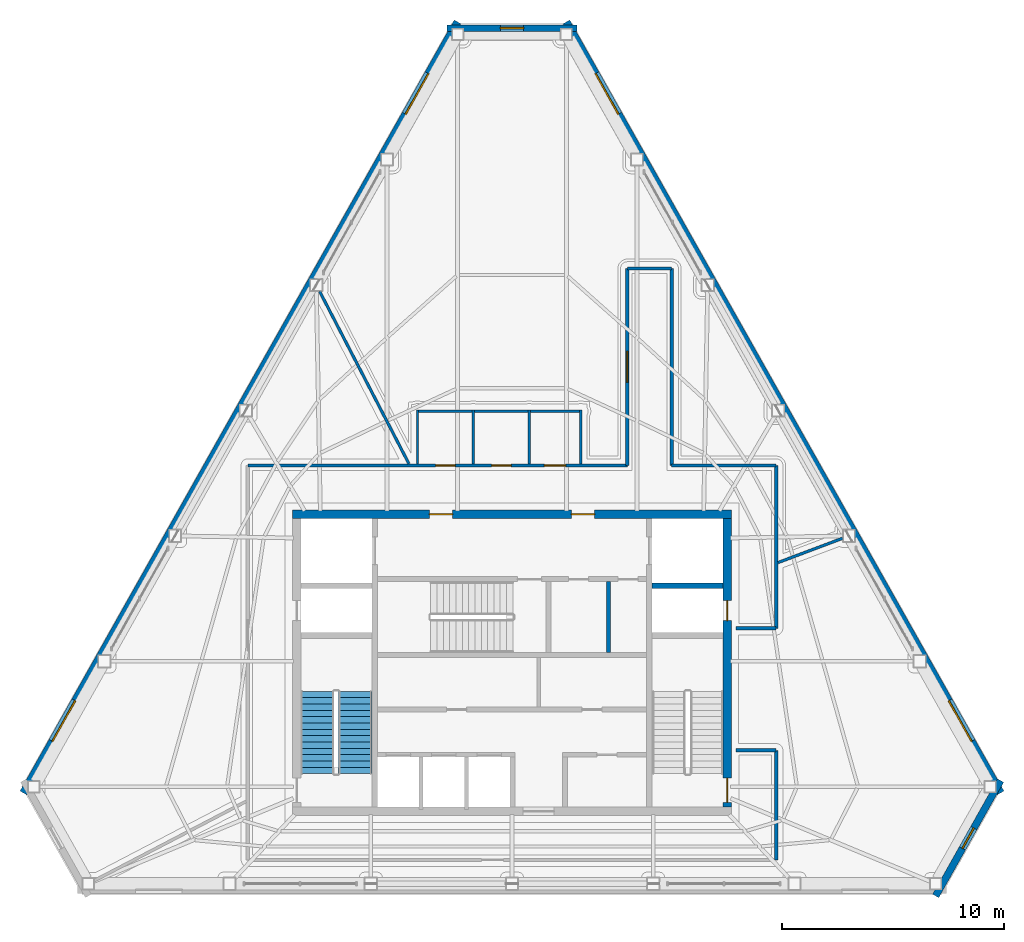
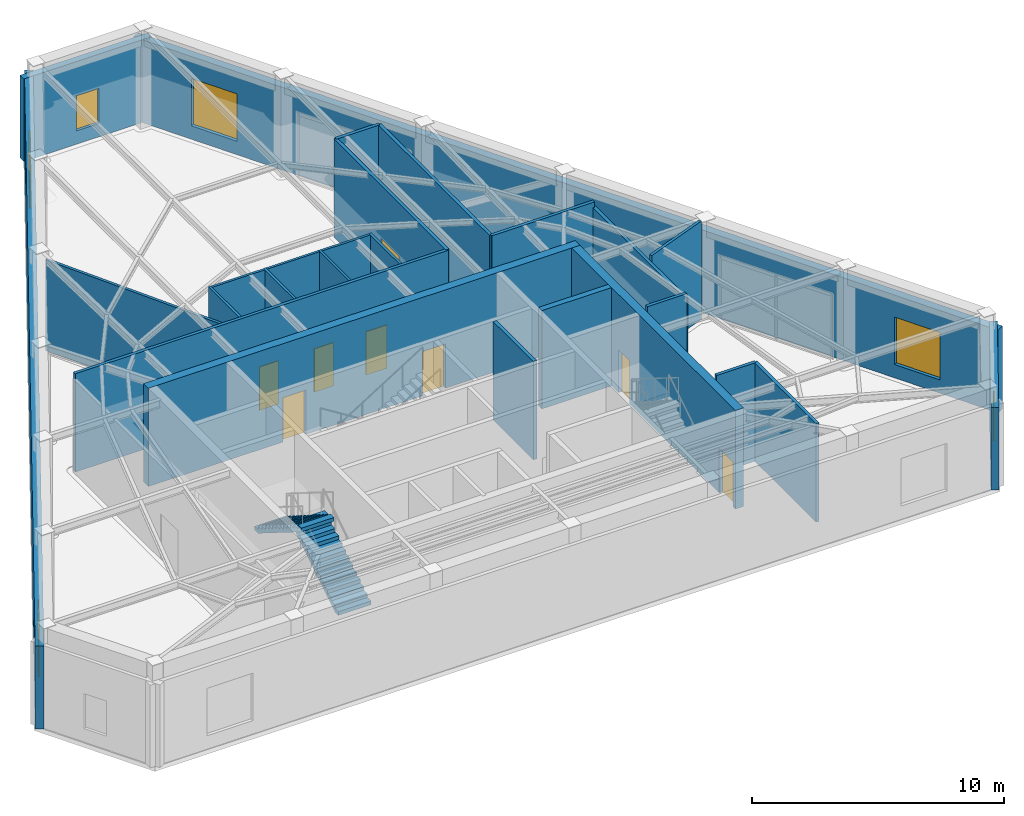
# One storey, part 10 of 15: 24 walls, 8 doors, 6 windows, 2 stair flights, 14 openings, 1 element without a shape of its own.
"""IFC4 building model written with IfcOpenShell, lengths in metres."""

from ifc_helpers import new_model, si_unit, direction, frame, frame_2d, origin, place, context, subcontext, project, spatial, polyline, rectangle, outline, extrude, material, layer, layer_set, type_object, element, fill, aggregate, save


model = new_model("IFC4")

# Units and contexts
model_context = context("Model", 3, precision=1e-05, world=origin(), true_north=direction((0.0, 1.0)))
body_context = subcontext(model_context, "Body", "Model", "MODEL_VIEW")
ifc_project = project(units=[si_unit("LENGTHUNIT", "METRE"), si_unit("AREAUNIT", "SQUARE_METRE"), si_unit("VOLUMEUNIT", "CUBIC_METRE"), si_unit("PLANEANGLEUNIT", "RADIAN"), si_unit("MASSUNIT", "GRAM", prefix="KILO")], contexts=[model_context])

# Site, building, storey
site_placement = place(None, origin())
site = spatial("IfcSite", under=ifc_project, at=site_placement, CompositionType="ELEMENT")
building_placement = place(site_placement, origin())
building = spatial("IfcBuilding", under=site, at=building_placement, Name="Kavelnor Concourse Tower", CompositionType="ELEMENT")
storey_placement = place(building_placement, frame((0.0, 0.0, 304.949951171875)))
storey = spatial("IfcBuildingStorey", under=building, at=storey_placement, Name="L77", CompositionType="ELEMENT", Elevation=304.949951171875)

# Wall, openings, doors
ifc_material_1 = material(Name="Concrete C50/60", Category="concrete")
ifc_layer_1 = layer(ifc_material_1, 0.3798828125, Name="Concrete C50/60")
ifc_layer_set_1 = layer_set([ifc_layer_1], Name="Concrete C50/60")
wall_type_1 = type_object("IfcWallType", Name="WL-CORE-Z4-380", PredefinedType="SOLIDWALL", material=ifc_layer_set_1)
wall_1_placement = place(storey_placement, frame((28.10009765625, 22.7900390625, 0.0), z_axis=(0.0, 0.0, 1.0), x_axis=(1.0, 0.0, 0.0)))
wall_1 = element("IfcWall", 1, at=wall_1_placement, inside=storey, type_object=wall_type_1, Name="L77 Central Core North Shear Wall", PredefinedType="SOLIDWALL", context=body_context, shape_type="SweptSolid", body=[
    extrude(rectangle(XDim=19.7998046875, YDim=0.3798828125, at=frame_2d((9.89990234375, 0.0))), origin(), (0.0, 0.0, 1.0), 4.77001953125),
])
opening_1_placement = place(wall_1_placement, frame((6.175048828125, 0.0, 0.0)))
opening_1 = element("IfcOpeningElement", 2, at=opening_1_placement, cuts=wall_1, Name="Opening FD-105", PredefinedType="OPENING", context=body_context, shape_type="SweptSolid", body=[
    extrude(rectangle(XDim=1.050048828125, YDim=2.14990234375, at=frame_2d((0.52490234375, 1.074951171875))), frame((0.0, 0.199951171875, 0.0), z_axis=(0.0, -1.0, 0.0), x_axis=(1.0, 0.0, 0.0)), (0.0, 0.0, 1.0), 0.39990234375),
])
opening_2_placement = place(wall_1_placement, frame((12.574951171875, 0.0, 0.0)))
opening_2 = element("IfcOpeningElement", 3, at=opening_2_placement, cuts=wall_1, Name="Opening FD-105", PredefinedType="OPENING", context=body_context, shape_type="SweptSolid", body=[
    extrude(rectangle(XDim=1.050048828125, YDim=2.14990234375, at=frame_2d((0.52490234375, 1.074951171875))), frame((0.0, 0.199951171875, 0.0), z_axis=(0.0, -1.0, 0.0), x_axis=(1.0, 0.0, 0.0)), (0.0, 0.0, 1.0), 0.39990234375),
])
ifc_material_2 = material(Name="Steel Grade 350", Category="steel")
door_type_1 = type_object("IfcDoorType", Name="DR-LOBBY-FIRE-1050", OperationType="NOTDEFINED", PredefinedType="DOOR", material=ifc_material_2)
door_1_placement = place(opening_1_placement, origin())
door_1 = element("IfcDoor", 4, at=door_1_placement, inside=storey, type_object=door_type_1, Name="L77 Emergency Lift Lobby West Door", OperationType="SINGLE_SWING_LEFT", OverallHeight=2.14990234375, OverallWidth=1.050048828125, PredefinedType="DOOR", context=body_context, shape_type="SweptSolid", body=[
    extrude(rectangle(XDim=1.050048828125, YDim=2.14990234375, at=frame_2d((0.52490234375, 1.074951171875))), frame((0.0, 0.02490234375, 0.0), z_axis=(0.0, -1.0, 0.0), x_axis=(1.0, 0.0, 0.0)), (0.0, 0.0, 1.0), 0.050048828125),
])
fill(opening_1, door_1)
door_2_placement = place(opening_2_placement, origin())
door_2 = element("IfcDoor", 5, at=door_2_placement, inside=storey, type_object=door_type_1, Name="L77 Emergency Lift Lobby East Door", OperationType="SINGLE_SWING_RIGHT", OverallHeight=2.14990234375, OverallWidth=1.050048828125, PredefinedType="DOOR", context=body_context, shape_type="SweptSolid", body=[
    extrude(rectangle(XDim=1.050048828125, YDim=2.14990234375, at=frame_2d((0.52490234375, 1.074951171875))), frame((0.0, 0.02490234375, 0.0), z_axis=(0.0, -1.0, 0.0), x_axis=(1.0, 0.0, 0.0)), (0.0, 0.0, 1.0), 0.050048828125),
])
fill(opening_2, door_2)

wall_2_placement = place(storey_placement, frame((47.7099609375, 9.60009765625, 0.0), z_axis=(0.0, 0.0, 1.0), x_axis=(0.0, 1.0, 0.0)))
wall_2 = element("IfcWall", 6, at=wall_2_placement, inside=storey, type_object=wall_type_1, Name="L77 Central Core East Shear Wall", PredefinedType="SOLIDWALL", context=body_context, shape_type="SweptSolid", body=[
    extrude(rectangle(XDim=13.0, YDim=0.3798828125, at=frame_2d((6.5, 0.0))), origin(), (0.0, 0.0, 1.0), 4.77001953125),
])
opening_3_placement = place(wall_2_placement, frame((0.199951171875, 0.0, 0.0)))
opening_3 = element("IfcOpeningElement", 7, at=opening_3_placement, cuts=wall_2, Name="Opening FD-110", PredefinedType="OPENING", context=body_context, shape_type="SweptSolid", body=[
    extrude(rectangle(XDim=1.10009765625, YDim=2.14990234375, at=frame_2d((0.550048828125, 1.074951171875))), frame((0.0, 0.199951171875, 0.0), z_axis=(0.0, -1.0, 0.0), x_axis=(1.0, 0.0, 0.0)), (0.0, 0.0, 1.0), 0.39990234375),
])
opening_4_placement = place(wall_2_placement, frame((8.39990234375, 0.0, 0.0)))
opening_4 = element("IfcOpeningElement", 8, at=opening_4_placement, cuts=wall_2, Name="Opening FD-090", PredefinedType="OPENING", context=body_context, shape_type="SweptSolid", body=[
    extrude(rectangle(XDim=0.89990234375, YDim=2.10009765625, at=frame_2d((0.449951171875, 1.050048828125))), frame((0.0, 0.199951171875, 0.0), z_axis=(0.0, -1.0, 0.0), x_axis=(1.0, 0.0, 0.0)), (0.0, 0.0, 1.0), 0.39990234375),
])
door_type_2 = type_object("IfcDoorType", Name="DR-RISER-FIRE-900", OperationType="NOTDEFINED", PredefinedType="DOOR", material=ifc_material_2)
door_3_placement = place(opening_4_placement, origin())
door_3 = element("IfcDoor", 9, at=door_3_placement, inside=storey, type_object=door_type_2, Name="L77 East Riser Access Door", OperationType="SINGLE_SWING_LEFT", OverallHeight=2.10009765625, OverallWidth=0.89990234375, PredefinedType="DOOR", context=body_context, shape_type="SweptSolid", body=[
    extrude(rectangle(XDim=0.89990234375, YDim=2.10009765625, at=frame_2d((0.449951171875, 1.050048828125))), frame((0.0, 0.02490234375, 0.0), z_axis=(0.0, -1.0, 0.0), x_axis=(1.0, 0.0, 0.0)), (0.0, 0.0, 1.0), 0.050048828125),
])
fill(opening_4, door_3)
door_type_3 = type_object("IfcDoorType", Name="DR-STAIR-FIRE-1100", OperationType="NOTDEFINED", PredefinedType="DOOR", material=ifc_material_2)
door_4_placement = place(opening_3_placement, origin())
door_4 = element("IfcDoor", 10, at=door_4_placement, inside=storey, type_object=door_type_3, Name="L77 Stair ST2 Fire Door", OperationType="SINGLE_SWING_RIGHT", OverallHeight=2.14990234375, OverallWidth=1.10009765625, PredefinedType="DOOR", context=body_context, shape_type="SweptSolid", body=[
    extrude(rectangle(XDim=1.10009765625, YDim=2.14990234375, at=frame_2d((0.550048828125, 1.074951171875))), frame((0.0, 0.02490234375, 0.0), z_axis=(0.0, -1.0, 0.0), x_axis=(1.0, 0.0, 0.0)), (0.0, 0.0, 1.0), 0.050048828125),
])
fill(opening_3, door_4)

# Wall, opening, window
ifc_material_3 = material(Name="Buff ironspot clay face brick masonry", Category="masonry")
ifc_layer_2 = layer(ifc_material_3, 0.300048828125, Name="Buff ironspot clay face brick masonry")
ifc_layer_set_2 = layer_set([ifc_layer_2], Name="Buff ironspot clay face brick masonry")
wall_type_2 = type_object("IfcWallType", Name="WL-EXT-BUFF-BRICK-FOLD-300", PredefinedType="STANDARD", material=ifc_layer_set_2)
wall_3_placement = place(storey_placement, frame((35.06689453125, 44.707275390625, 0.0), z_axis=(0.0, 0.0, 1.0), x_axis=(1.0, 0.0, 0.0)))
wall_3 = element("IfcWall", 11, at=wall_3_placement, inside=storey, type_object=wall_type_2, Name="L77 Exterior Brick Facade Wall E0", PredefinedType="STANDARD", context=body_context, shape_type="SweptSolid", body=[
    extrude(rectangle(XDim=5.8662109375, YDim=0.300048828125, at=frame_2d((2.93310546875, 0.0))), origin(), (0.0, 0.0, 1.0), 4.011962890625),
])
opening_5_placement = place(wall_3_placement, frame((2.408203125, 0.0, 0.64990234375)))
opening_5 = element("IfcOpeningElement", 12, at=opening_5_placement, cuts=wall_3, Name="Opening W-06", PredefinedType="OPENING", context=body_context, shape_type="SweptSolid", body=[
    extrude(rectangle(XDim=1.050048828125, YDim=1.699951171875, at=frame_2d((0.52490234375, 0.85009765625))), frame((0.0, 0.16015625, 0.0), z_axis=(0.0, -1.0, 0.0), x_axis=(1.0, 0.0, 0.0)), (0.0, 0.0, 1.0), 0.320068359375),
])
ifc_material_4 = material(Name="Double low-E argon insulated glazing", Category="glass")
window_type_1 = type_object("IfcWindowType", Name="WIN-FOLD-1050", PartitioningType="SINGLE_PANEL", PredefinedType="WINDOW", material=ifc_material_4)
window_1_placement = place(opening_5_placement, origin())
window_1 = element("IfcWindow", 13, at=window_1_placement, inside=storey, type_object=window_type_1, Name="L77 Chamfer-Fold Facet Window C0", OverallHeight=1.699951171875, OverallWidth=1.050048828125, PartitioningType="SINGLE_PANEL", PredefinedType="WINDOW", context=body_context, shape_type="SweptSolid", body=[
    extrude(rectangle(XDim=1.050048828125, YDim=1.699951171875, at=frame_2d((0.52490234375, 0.85009765625))), frame((0.0, 0.030029296875, 0.0), z_axis=(0.0, -1.0, 0.0), x_axis=(1.0, 0.0, 0.0)), (0.0, 0.0, 1.0), 0.06005859375),
])
fill(opening_5, window_1)

ifc_layer_3 = layer(ifc_material_3, 0.320068359375, Name="Buff ironspot clay face brick masonry")
ifc_layer_set_3 = layer_set([ifc_layer_3], Name="Buff ironspot clay face brick masonry")
wall_type_3 = type_object("IfcWallType", Name="WL-EXT-BUFF-BRICK-SPANDREL-320", PredefinedType="STANDARD", material=ifc_layer_set_3)
wall_4_placement = place(storey_placement, frame((60.0283203125, 10.784912109375, 0.0), z_axis=(0.0, 0.0, 1.0), x_axis=(-0.490711674977, -0.871322013977, 0.0)))
wall_4 = element("IfcWall", 14, at=wall_4_placement, inside=storey, type_object=wall_type_3, Name="L77 Exterior Brick Facade Wall E4", PredefinedType="STANDARD", context=body_context, shape_type="SweptSolid", body=[
    extrude(rectangle(XDim=5.96923828125, YDim=0.320068359375, at=frame_2d((2.984619140625, 0.0))), origin(), (0.0, 0.0, 1.0), 4.011962890625),
])
opening_6_placement = place(wall_4_placement, frame((2.459716796875, 0.0, 0.64990234375)))
opening_6 = element("IfcOpeningElement", 15, at=opening_6_placement, cuts=wall_4, Name="Opening W-06", PredefinedType="OPENING", context=body_context, shape_type="SweptSolid", body=[
    extrude(rectangle(XDim=1.050048828125, YDim=1.699951171875, at=frame_2d((0.52490234375, 0.85009765625))), frame((0.0, 0.169921875, 0.0), z_axis=(0.0, -1.0, 0.0), x_axis=(1.0, 0.0, 0.0)), (0.0, 0.0, 1.0), 0.340087890625),
])
window_2_placement = place(opening_6_placement, origin())
window_2 = element("IfcWindow", 16, at=window_2_placement, inside=storey, type_object=window_type_1, Name="L77 Chamfer-Fold Facet Window C2", OverallHeight=1.699951171875, OverallWidth=1.050048828125, PartitioningType="SINGLE_PANEL", PredefinedType="WINDOW", context=body_context, shape_type="SweptSolid", body=[
    extrude(rectangle(XDim=1.050048828125, YDim=1.699951171875, at=frame_2d((0.52490234375, 0.85009765625))), frame((0.0, 0.030029296875, 0.0), z_axis=(0.0, -1.0, 0.0), x_axis=(1.0, 0.0, 0.0)), (0.0, 0.0, 1.0), 0.06005859375),
])
fill(opening_6, window_2)

# Wall, openings, windows
ifc_material_5 = material(Name="Red-ochre clay face brick masonry", Category="masonry")
ifc_layer_4 = layer(ifc_material_5, 0.35009765625, Name="Red-ochre clay face brick masonry")
ifc_layer_set_4 = layer_set([ifc_layer_4], Name="Red-ochre clay face brick masonry")
wall_type_4 = type_object("IfcWallType", Name="WL-EXT-RED-BRICK-PIER-350", PredefinedType="STANDARD", material=ifc_layer_set_4)
wall_5_placement = place(storey_placement, frame((15.9716796875, 10.230224609375, 0.0), z_axis=(0.0, 0.0, 1.0), x_axis=(0.490734788737, 0.871308996352, 0.0)))
wall_5 = element("IfcWall", 17, at=wall_5_placement, inside=storey, type_object=wall_type_4, Name="L77 Exterior Brick Facade Wall E1", PredefinedType="STANDARD", context=body_context, shape_type="SweptSolid", body=[
    extrude(rectangle(XDim=39.89208984375, YDim=0.35009765625, at=frame_2d((19.946044921875, 0.0))), origin(), (0.0, 0.0, 1.0), 4.011962890625),
])
opening_7_placement = place(wall_5_placement, frame((35.116455078125, 0.0, 0.64990234375)))
opening_7 = element("IfcOpeningElement", 18, at=opening_7_placement, cuts=wall_5, Name="Opening W-08", PredefinedType="OPENING", context=body_context, shape_type="SweptSolid", body=[
    extrude(rectangle(XDim=2.10009765625, YDim=2.300048828125, at=frame_2d((1.050048828125, 1.14990234375))), frame((0.0, 0.18505859375, 0.0), z_axis=(0.0, -1.0, 0.0), x_axis=(1.0, 0.0, 0.0)), (0.0, 0.0, 1.0), 0.3701171875),
])
opening_8_placement = place(wall_5_placement, frame((2.66552734375, 0.0, 0.64990234375)))
opening_8 = element("IfcOpeningElement", 19, at=opening_8_placement, cuts=wall_5, Name="Opening W-08", PredefinedType="OPENING", context=body_context, shape_type="SweptSolid", body=[
    extrude(rectangle(XDim=2.10009765625, YDim=2.300048828125, at=frame_2d((1.050048828125, 1.14990234375))), frame((0.0, 0.18505859375, 0.0), z_axis=(0.0, -1.0, 0.0), x_axis=(1.0, 0.0, 0.0)), (0.0, 0.0, 1.0), 0.3701171875),
])
window_type_2 = type_object("IfcWindowType", Name="WIN-OBS-2400", PartitioningType="SINGLE_PANEL", PredefinedType="WINDOW", material=ifc_material_4)
window_3_placement = place(opening_7_placement, origin())
window_3 = element("IfcWindow", 20, at=window_3_placement, inside=storey, type_object=window_type_2, Name="L77 Deep-Set Brick Pier Window F0-B0", OverallHeight=2.300048828125, OverallWidth=2.10009765625, PartitioningType="SINGLE_PANEL", PredefinedType="WINDOW", context=body_context, shape_type="SweptSolid", body=[
    extrude(rectangle(XDim=2.10009765625, YDim=2.300048828125, at=frame_2d((1.050048828125, 1.14990234375))), frame((0.0, 0.030029296875, 0.0), z_axis=(0.0, -1.0, 0.0), x_axis=(1.0, 0.0, 0.0)), (0.0, 0.0, 1.0), 0.06005859375),
])
fill(opening_7, window_3)
window_4_placement = place(opening_8_placement, origin())
window_4 = element("IfcWindow", 21, at=window_4_placement, inside=storey, type_object=window_type_2, Name="L77 Deep-Set Brick Pier Window F0-B5", OverallHeight=2.300048828125, OverallWidth=2.10009765625, PartitioningType="SINGLE_PANEL", PredefinedType="WINDOW", context=body_context, shape_type="SweptSolid", body=[
    extrude(rectangle(XDim=2.10009765625, YDim=2.300048828125, at=frame_2d((1.050048828125, 1.14990234375))), frame((0.0, 0.030029296875, 0.0), z_axis=(0.0, -1.0, 0.0), x_axis=(1.0, 0.0, 0.0)), (0.0, 0.0, 1.0), 0.06005859375),
])
fill(opening_8, window_4)

wall_6_placement = place(storey_placement, frame((40.451904296875, 44.988525390625, 0.0), z_axis=(0.0, 0.0, 1.0), x_axis=(0.490734788737, -0.871308996352, 0.0)))
wall_6 = element("IfcWall", 22, at=wall_6_placement, inside=storey, type_object=wall_type_4, Name="L77 Exterior Brick Facade Wall E5", PredefinedType="STANDARD", context=body_context, shape_type="SweptSolid", body=[
    extrude(rectangle(XDim=39.89208984375, YDim=0.35009765625, at=frame_2d((19.946044921875, 0.0))), origin(), (0.0, 0.0, 1.0), 4.011962890625),
])
opening_9_placement = place(wall_6_placement, frame((35.12646484375, 0.0, 0.64990234375)))
opening_9 = element("IfcOpeningElement", 23, at=opening_9_placement, cuts=wall_6, Name="Opening W-08", PredefinedType="OPENING", context=body_context, shape_type="SweptSolid", body=[
    extrude(rectangle(XDim=2.10009765625, YDim=2.300048828125, at=frame_2d((1.050048828125, 1.14990234375))), frame((0.0, 0.18505859375, 0.0), z_axis=(0.0, -1.0, 0.0), x_axis=(1.0, 0.0, 0.0)), (0.0, 0.0, 1.0), 0.3701171875),
])
opening_10_placement = place(wall_6_placement, frame((2.675537109375, 0.0, 0.64990234375)))
opening_10 = element("IfcOpeningElement", 24, at=opening_10_placement, cuts=wall_6, Name="Opening W-08", PredefinedType="OPENING", context=body_context, shape_type="SweptSolid", body=[
    extrude(rectangle(XDim=2.10009765625, YDim=2.300048828125, at=frame_2d((1.050048828125, 1.14990234375))), frame((0.0, 0.18505859375, 0.0), z_axis=(0.0, -1.0, 0.0), x_axis=(1.0, 0.0, 0.0)), (0.0, 0.0, 1.0), 0.3701171875),
])
window_5_placement = place(opening_9_placement, origin())
window_5 = element("IfcWindow", 25, at=window_5_placement, inside=storey, type_object=window_type_2, Name="L77 Deep-Set Brick Pier Window F2-B0", OverallHeight=2.300048828125, OverallWidth=2.10009765625, PartitioningType="SINGLE_PANEL", PredefinedType="WINDOW", context=body_context, shape_type="SweptSolid", body=[
    extrude(rectangle(XDim=2.10009765625, YDim=2.300048828125, at=frame_2d((1.050048828125, 1.14990234375))), frame((0.0, 0.030029296875, 0.0), z_axis=(0.0, -1.0, 0.0), x_axis=(1.0, 0.0, 0.0)), (0.0, 0.0, 1.0), 0.06005859375),
])
fill(opening_9, window_5)
window_6_placement = place(opening_10_placement, origin())
window_6 = element("IfcWindow", 26, at=window_6_placement, inside=storey, type_object=window_type_2, Name="L77 Deep-Set Brick Pier Window F2-B5", OverallHeight=2.300048828125, OverallWidth=2.10009765625, PartitioningType="SINGLE_PANEL", PredefinedType="WINDOW", context=body_context, shape_type="SweptSolid", body=[
    extrude(rectangle(XDim=2.10009765625, YDim=2.300048828125, at=frame_2d((1.050048828125, 1.14990234375))), frame((0.0, 0.030029296875, 0.0), z_axis=(0.0, -1.0, 0.0), x_axis=(1.0, 0.0, 0.0)), (0.0, 0.0, 1.0), 0.06005859375),
])
fill(opening_10, window_6)

# Wall, opening, door
ifc_material_6 = material(Name="Gypsum plasterboard on light-gauge steel studs", Category="steel")
ifc_layer_5 = layer(ifc_material_6, 0.14501953125, Name="Gypsum plasterboard on light-gauge steel studs")
ifc_layer_set_5 = layer_set([ifc_layer_5], Name="Gypsum plasterboard on light-gauge steel studs")
wall_type_5 = type_object("IfcWallType", Name="WL-INT-CORR-145", PredefinedType="PARTITIONING", material=ifc_layer_set_5)
wall_7_placement = place(storey_placement, frame((43.199951171875, 24.989990234375, 0.0), z_axis=(0.0, 0.0, 1.0), x_axis=(0.0, 1.0, 0.0)))
wall_7 = element("IfcWall", 27, at=wall_7_placement, inside=storey, type_object=wall_type_5, Name="L77 Corridor Wall WL-L77-CR-01", PredefinedType="PARTITIONING", context=body_context, shape_type="SweptSolid", body=[
    extrude(rectangle(XDim=8.8837890625, YDim=0.14501953125, at=frame_2d((4.44189453125, 0.0))), origin(), (0.0, 0.0, 1.0), 4.77001953125),
])
opening_11_placement = place(wall_7_placement, frame((3.741943359375, 0.0, 0.0)))
opening_11 = element("IfcOpeningElement", 28, at=opening_11_placement, cuts=wall_7, Name="Opening SD-140", PredefinedType="OPENING", context=body_context, shape_type="SweptSolid", body=[
    extrude(rectangle(XDim=1.39990234375, YDim=2.199951171875, at=frame_2d((0.699951171875, 1.10009765625))), frame((0.0, 0.08251953125, 0.0), z_axis=(0.0, -1.0, 0.0), x_axis=(1.0, 0.0, 0.0)), (0.0, 0.0, 1.0), 0.1650390625),
])
ifc_material_7 = material(Name="Solid-core hardwood timber", Category="wood")
door_type_4 = type_object("IfcDoorType", Name="DR-SUITE-ENTRY-1400", OperationType="NOTDEFINED", PredefinedType="DOOR", material=ifc_material_7)
door_5_placement = place(opening_11_placement, origin())
door_5 = element("IfcDoor", 29, at=door_5_placement, inside=storey, type_object=door_type_4, Name="L77 Visitor Retail Bookshop 01 Door", OperationType="SINGLE_SWING_LEFT", OverallHeight=2.199951171875, OverallWidth=1.39990234375, PredefinedType="DOOR", context=body_context, shape_type="SweptSolid", body=[
    extrude(rectangle(XDim=1.39990234375, YDim=2.199951171875, at=frame_2d((0.699951171875, 1.10009765625))), frame((0.0, 0.02490234375, 0.0), z_axis=(0.0, -1.0, 0.0), x_axis=(1.0, 0.0, 0.0)), (0.0, 0.0, 1.0), 0.050048828125),
])
fill(opening_11, door_5)

# Walls
wall_8_placement = place(storey_placement, frame((43.199951171875, 33.873779296875, 0.0), z_axis=(0.0, 0.0, 1.0), x_axis=(1.0, 0.0, 0.0)))
element("IfcWall", 30, at=wall_8_placement, inside=storey, type_object=wall_type_5, Name="L77 Corridor Wall WL-L77-CR-02", PredefinedType="PARTITIONING", context=body_context, shape_type="SweptSolid", body=[
    extrude(rectangle(XDim=2.0, YDim=0.14501953125, at=frame_2d((1.0, 0.0))), origin(), (0.0, 0.0, 1.0), 4.77001953125),
])
wall_9_placement = place(storey_placement, frame((45.199951171875, 33.873779296875, 0.0), z_axis=(0.0, 0.0, 1.0), x_axis=(0.0, -1.0, 0.0)))
element("IfcWall", 31, at=wall_9_placement, inside=storey, type_object=wall_type_5, Name="L77 Corridor Wall WL-L77-CR-03", PredefinedType="PARTITIONING", context=body_context, shape_type="SweptSolid", body=[
    extrude(rectangle(XDim=8.8837890625, YDim=0.14501953125, at=frame_2d((4.44189453125, 0.0))), origin(), (0.0, 0.0, 1.0), 4.77001953125),
])
wall_10_placement = place(storey_placement, frame((45.199951171875, 24.989990234375, 0.0), z_axis=(0.0, 0.0, 1.0), x_axis=(1.0, 0.0, 0.0)))
element("IfcWall", 32, at=wall_10_placement, inside=storey, type_object=wall_type_5, Name="L77 Corridor Wall WL-L77-CR-04", PredefinedType="PARTITIONING", context=body_context, shape_type="SweptSolid", body=[
    extrude(rectangle(XDim=4.7099609375, YDim=0.14501953125, at=frame_2d((2.35498046875, 0.0))), origin(), (0.0, 0.0, 1.0), 4.77001953125),
])
wall_11_placement = place(storey_placement, frame((49.909912109375, 24.989990234375, 0.0), z_axis=(0.0, 0.0, 1.0), x_axis=(0.0, -1.0, 0.0)))
element("IfcWall", 33, at=wall_11_placement, inside=storey, type_object=wall_type_5, Name="L77 Corridor Wall WL-L77-CR-05", PredefinedType="PARTITIONING", context=body_context, shape_type="SweptSolid", body=[
    extrude(rectangle(XDim=7.340087890625, YDim=0.14501953125, at=frame_2d((3.669921875, 0.0))), origin(), (0.0, 0.0, 1.0), 4.509033203125),
])
for number, where, z_axis, x_axis, name in (
    (34, (49.909912109375, 17.64990234375, 0.0), (0.0, 0.0, 1.0), (-1.0, 0.0, 0.0), "L77 Corridor Wall WL-L77-CR-06"),
    (35, (48.090087890625, 12.14990234375, 0.0), (0.0, 0.0, 1.0), (1.0, 0.0, 0.0), "L77 Corridor Wall WL-L77-CR-07"),
):
    element("IfcWall", number, at=place(storey_placement, frame(where, z_axis=z_axis, x_axis=x_axis)), inside=storey, type_object=wall_type_5, Name=name, PredefinedType="PARTITIONING", context=body_context, shape_type="SweptSolid", body=[
        extrude(rectangle(XDim=1.81982421875, YDim=0.14501953125, at=frame_2d((0.909912109375, 0.0))), origin(), (0.0, 0.0, 1.0), 4.77001953125),
    ])
wall_12_placement = place(storey_placement, frame((49.909912109375, 12.14990234375, 0.0), z_axis=(0.0, 0.0, 1.0), x_axis=(0.0, -1.0, 0.0)))
element("IfcWall", 36, at=wall_12_placement, inside=storey, type_object=wall_type_5, Name="L77 Corridor Wall WL-L77-CR-08", PredefinedType="PARTITIONING", context=body_context, shape_type="SweptSolid", body=[
    extrude(rectangle(XDim=4.93994140625, YDim=0.14501953125, at=frame_2d((2.469970703125, 0.0))), origin(), (0.0, 0.0, 1.0), 4.77001953125),
])

# Wall, openings, doors
wall_13_placement = place(storey_placement, frame((26.090087890625, 24.989990234375, 0.0), z_axis=(0.0, 0.0, 1.0), x_axis=(1.0, 0.0, 0.0)))
wall_13 = element("IfcWall", 37, at=wall_13_placement, inside=storey, type_object=wall_type_5, Name="L77 Corridor Wall WL-L77-CR-11", PredefinedType="PARTITIONING", context=body_context, shape_type="SweptSolid", body=[
    extrude(rectangle(XDim=17.10986328125, YDim=0.14501953125, at=frame_2d((8.554931640625, 0.0))), origin(), (0.0, 0.0, 1.0), 4.77001953125),
])
opening_12_placement = place(wall_13_placement, frame((8.469970703125, 0.0, 0.0)))
opening_12 = element("IfcOpeningElement", 38, at=opening_12_placement, cuts=wall_13, Name="Opening WD-088", PredefinedType="OPENING", context=body_context, shape_type="SweptSolid", body=[
    extrude(rectangle(XDim=0.8798828125, YDim=2.10009765625, at=frame_2d((0.43994140625, 1.050048828125))), frame((0.0, 0.08251953125, 0.0), z_axis=(0.0, -1.0, 0.0), x_axis=(1.0, 0.0, 0.0)), (0.0, 0.0, 1.0), 0.1650390625),
])
opening_13_placement = place(wall_13_placement, frame((10.989990234375, 0.0, 0.0)))
opening_13 = element("IfcOpeningElement", 39, at=opening_13_placement, cuts=wall_13, Name="Opening WD-088", PredefinedType="OPENING", context=body_context, shape_type="SweptSolid", body=[
    extrude(rectangle(XDim=0.8798828125, YDim=2.10009765625, at=frame_2d((0.43994140625, 1.050048828125))), frame((0.0, 0.08251953125, 0.0), z_axis=(0.0, -1.0, 0.0), x_axis=(1.0, 0.0, 0.0)), (0.0, 0.0, 1.0), 0.1650390625),
])
opening_14_placement = place(wall_13_placement, frame((13.3701171875, 0.0, 0.0)))
opening_14 = element("IfcOpeningElement", 40, at=opening_14_placement, cuts=wall_13, Name="Opening WD-096", PredefinedType="OPENING", context=body_context, shape_type="SweptSolid", body=[
    extrude(rectangle(XDim=0.9599609375, YDim=2.10009765625, at=frame_2d((0.47998046875, 1.050048828125))), frame((0.0, 0.08251953125, 0.0), z_axis=(0.0, -1.0, 0.0), x_axis=(1.0, 0.0, 0.0)), (0.0, 0.0, 1.0), 0.1650390625),
])
door_type_5 = type_object("IfcDoorType", Name="DR-WC-ACC-960", OperationType="NOTDEFINED", PredefinedType="DOOR", material=ifc_material_7)
door_6_placement = place(opening_14_placement, origin())
door_6 = element("IfcDoor", 41, at=door_6_placement, inside=storey, type_object=door_type_5, Name="L77 Accessible WC Door", OperationType="SINGLE_SWING_RIGHT", OverallHeight=2.10009765625, OverallWidth=0.9599609375, PredefinedType="DOOR", context=body_context, shape_type="SweptSolid", body=[
    extrude(rectangle(XDim=0.9599609375, YDim=2.10009765625, at=frame_2d((0.47998046875, 1.050048828125))), frame((0.0, 0.02490234375, 0.0), z_axis=(0.0, -1.0, 0.0), x_axis=(1.0, 0.0, 0.0)), (0.0, 0.0, 1.0), 0.050048828125),
])
fill(opening_14, door_6)
door_type_6 = type_object("IfcDoorType", Name="DR-WC-STD-880", OperationType="NOTDEFINED", PredefinedType="DOOR", material=ifc_material_7)
door_7_placement = place(opening_12_placement, origin())
door_7 = element("IfcDoor", 42, at=door_7_placement, inside=storey, type_object=door_type_6, Name="L77 Male WC Door", OperationType="SINGLE_SWING_RIGHT", OverallHeight=2.10009765625, OverallWidth=0.8798828125, PredefinedType="DOOR", context=body_context, shape_type="SweptSolid", body=[
    extrude(rectangle(XDim=0.8798828125, YDim=2.10009765625, at=frame_2d((0.43994140625, 1.050048828125))), frame((0.0, 0.02490234375, 0.0), z_axis=(0.0, -1.0, 0.0), x_axis=(1.0, 0.0, 0.0)), (0.0, 0.0, 1.0), 0.050048828125),
])
fill(opening_12, door_7)
door_8_placement = place(opening_13_placement, origin())
door_8 = element("IfcDoor", 43, at=door_8_placement, inside=storey, type_object=door_type_6, Name="L77 Female WC Door", OperationType="SINGLE_SWING_LEFT", OverallHeight=2.10009765625, OverallWidth=0.8798828125, PredefinedType="DOOR", context=body_context, shape_type="SweptSolid", body=[
    extrude(rectangle(XDim=0.8798828125, YDim=2.10009765625, at=frame_2d((0.43994140625, 1.050048828125))), frame((0.0, 0.02490234375, 0.0), z_axis=(0.0, -1.0, 0.0), x_axis=(1.0, 0.0, 0.0)), (0.0, 0.0, 1.0), 0.050048828125),
])
fill(opening_13, door_8)

# Walls
ifc_layer_6 = layer(ifc_material_6, 0.1650390625, Name="Gypsum plasterboard on light-gauge steel studs")
ifc_layer_set_6 = layer_set([ifc_layer_6], Name="Gypsum plasterboard on light-gauge steel studs")
wall_type_6 = type_object("IfcWallType", Name="WL-INT-FIRE-165", PredefinedType="PARTITIONING", material=ifc_layer_set_6)
wall_14_placement = place(storey_placement, frame((42.35009765625, 16.56005859375, 0.0), z_axis=(0.0, 0.0, 1.0), x_axis=(0.0, 1.0, 0.0)))
element("IfcWall", 44, at=wall_14_placement, inside=storey, type_object=wall_type_6, Name="L77 Core Support Asymmetric Divider", PredefinedType="PARTITIONING", context=body_context, shape_type="SweptSolid", body=[
    extrude(rectangle(XDim=3.199951171875, YDim=0.1650390625, at=frame_2d((1.60009765625, 0.0))), origin(), (0.0, 0.0, 1.0), 4.77001953125),
])
ifc_layer_7 = layer(ifc_material_6, 0.125, Name="Gypsum plasterboard on light-gauge steel studs")
ifc_layer_set_7 = layer_set([ifc_layer_7], Name="Gypsum plasterboard on light-gauge steel studs")
wall_type_7 = type_object("IfcWallType", Name="WL-INT-SUITE-125", PredefinedType="PARTITIONING", material=ifc_layer_set_7)
wall_15_placement = place(storey_placement, frame((49.990478515625, 20.612548828125, 0.0), z_axis=(0.0, 0.0, 1.0), x_axis=(0.93593218837, 0.352180264598, 0.0)))
element("IfcWall", 45, at=wall_15_placement, inside=storey, type_object=wall_type_7, Name="L77 Radial Suite Partition 01", PredefinedType="PARTITIONING", context=body_context, shape_type="SweptSolid", body=[
    extrude(rectangle(XDim=3.11328125, YDim=0.125, at=frame_2d((1.556640625, 0.0))), origin(), (0.0, 0.0, 1.0), 4.77001953125),
])
wall_16_placement = place(storey_placement, frame((33.35205078125, 25.070556640625, 0.0), z_axis=(0.0, 0.0, 1.0), x_axis=(-0.460036151018, 0.887900185695, 0.0)))
element("IfcWall", 46, at=wall_16_placement, inside=storey, type_object=wall_type_7, Name="L77 Radial Suite Partition 02", PredefinedType="PARTITIONING", context=body_context, shape_type="SweptSolid", body=[
    extrude(rectangle(XDim=8.74951171875, YDim=0.125, at=frame_2d((4.374755859375, 0.0))), origin(), (0.0, 0.0, 1.0), 4.406005859375),
])
ifc_layer_8 = layer(ifc_material_6, 0.110107421875, Name="Gypsum plasterboard on light-gauge steel studs")
ifc_layer_set_8 = layer_set([ifc_layer_8], Name="Gypsum plasterboard on light-gauge steel studs")
wall_type_8 = type_object("IfcWallType", Name="WL-INT-WC-110", PredefinedType="PLUMBINGWALL", material=ifc_layer_set_8)
for number, where, z_axis, x_axis, name in (
    (47, (33.739990234375, 25.06005859375, 0.0), (0.0, 0.0, 1.0), (0.0, 1.0, 0.0), "L77 Sanitary Partition WL-L77-WC-W"),
    (48, (36.260009765625, 25.06005859375, 0.0), (0.0, 0.0, 1.0), (0.0, 1.0, 0.0), "L77 Sanitary Partition WL-L77-WC-D1"),
    (49, (38.780029296875, 25.06005859375, 0.0), (0.0, 0.0, 1.0), (0.0, 1.0, 0.0), "L77 Sanitary Partition WL-L77-WC-D2"),
    (50, (41.10009765625, 25.06005859375, 0.0), (0.0, 0.0, 1.0), (0.0, 1.0, 0.0), "L77 Sanitary Partition WL-L77-WC-E"),
):
    element("IfcWall", number, at=place(storey_placement, frame(where, z_axis=z_axis, x_axis=x_axis)), inside=storey, type_object=wall_type_8, Name=name, PredefinedType="PLUMBINGWALL", context=body_context, shape_type="SweptSolid", body=[
        extrude(rectangle(XDim=2.43994140625, YDim=0.110107421875, at=frame_2d((1.219970703125, 0.0))), origin(), (0.0, 0.0, 1.0), 4.77001953125),
    ])
wall_17_placement = place(storey_placement, frame((33.68994140625, 27.43994140625, 0.0), z_axis=(0.0, 0.0, 1.0), x_axis=(1.0, 0.0, 0.0)))
element("IfcWall", 51, at=wall_17_placement, inside=storey, type_object=wall_type_8, Name="L77 Sanitary Partition WL-L77-WC-N", PredefinedType="PLUMBINGWALL", context=body_context, shape_type="SweptSolid", body=[
    extrude(rectangle(XDim=7.4599609375, YDim=0.110107421875, at=frame_2d((3.72998046875, 0.0))), origin(), (0.0, 0.0, 1.0), 4.77001953125),
])
ifc_layer_9 = layer(ifc_material_1, 0.260009765625, Name="Concrete C50/60")
ifc_layer_set_9 = layer_set([ifc_layer_9], Name="Concrete C50/60")
wall_type_9 = type_object("IfcWallType", Name="WL-SHAFT-260", PredefinedType="SHEAR", material=ifc_layer_set_9)
wall_18_placement = place(storey_placement, frame((44.320068359375, 19.570068359375, 0.0), z_axis=(0.0, 0.0, 1.0), x_axis=(1.0, 0.0, 0.0)))
element("IfcWall", 52, at=wall_18_placement, inside=storey, type_object=wall_type_9, Name="L77 Emergency Lift FL2 South Shaft Wall", PredefinedType="SHEAR", context=body_context, shape_type="SweptSolid", body=[
    extrude(rectangle(XDim=3.199951171875, YDim=0.260009765625, at=frame_2d((1.60009765625, 0.0))), origin(), (0.0, 0.0, 1.0), 4.77001953125),
])

# Stair, stair flights
ifc_material_8 = material(Name="Concrete C40/50", Category="concrete")
stair_type = type_object("IfcStairType", Name="STR-CORE-1500", PredefinedType="HALF_TURN_STAIR", material=ifc_material_8)
stair_placement = place(storey_placement, origin())
stair = element("IfcStair", 53, at=stair_placement, inside=storey, type_object=stair_type, Name="L77 ST1", PredefinedType="HALF_TURN_STAIR")
stair_flight_type = type_object("IfcStairFlightType", Name="STR-FLIGHT-1500", PredefinedType="STRAIGHT", material=ifc_material_8)
stair_flight_1_placement = place(storey_placement, frame((30.929931640625, 11.10009765625, 0.0), z_axis=(0.0, 0.0, 1.0), x_axis=(0.0, 1.0, 0.0)))
stair_flight_1 = element("IfcStairFlight", 54, at=stair_flight_1_placement, type_object=stair_flight_type, Name="ST1 flight 1", NumberOfRisers=14, NumberOfTreads=13, PredefinedType="STRAIGHT", RiserHeight=0.178571429, TreadLength=0.285, context=body_context, shape_type="SweptSolid", body=[
    extrude(outline(polyline([(0.0, 0.0), (0.0, 0.178466796875), (0.284912109375, 0.178466796875), (0.284912109375, 0.357177734375), (0.570068359375, 0.357177734375), (0.570068359375, 0.53564453125), (0.85498046875, 0.53564453125), (0.85498046875, 0.71435546875), (1.139892578125, 0.71435546875), (1.139892578125, 0.892822265625), (1.425048828125, 0.892822265625), (1.425048828125, 1.071533203125), (1.7099609375, 1.071533203125), (1.7099609375, 1.25), (1.9951171875, 1.25), (1.9951171875, 1.428466796875), (2.280029296875, 1.428466796875), (2.280029296875, 1.607177734375), (2.56494140625, 1.607177734375), (2.56494140625, 1.78564453125), (2.85009765625, 1.78564453125), (2.85009765625, 1.96435546875), (3.135009765625, 1.96435546875), (3.135009765625, 2.142822265625), (3.419921875, 2.142822265625), (3.419921875, 2.321533203125), (3.705078125, 2.321533203125), (3.705078125, 2.5), (3.705078125, 2.14453125), (0.2822265625, 0.0), (0.0, 0.0)])), frame((0.0, 0.75, 0.0), z_axis=(0.0, -1.0, 0.0), x_axis=(1.0, 0.0, 0.0)), (0.0, 0.0, 1.0), 1.5),
])
stair_flight_2_placement = place(storey_placement, frame((29.22998046875, 14.804931640625, 2.5), z_axis=(0.0, 0.0, 1.0), x_axis=(0.0, -1.0, 0.0)))
stair_flight_2 = element("IfcStairFlight", 55, at=stair_flight_2_placement, type_object=stair_flight_type, Name="ST1 flight 2", NumberOfRisers=14, NumberOfTreads=13, PredefinedType="STRAIGHT", RiserHeight=0.178571429, TreadLength=0.285, context=body_context, shape_type="SweptSolid", body=[
    extrude(outline(polyline([(0.0, 0.0), (0.0, 0.178466796875), (0.284912109375, 0.178466796875), (0.284912109375, 0.357177734375), (0.570068359375, 0.357177734375), (0.570068359375, 0.53564453125), (0.85498046875, 0.53564453125), (0.85498046875, 0.71435546875), (1.139892578125, 0.71435546875), (1.139892578125, 0.892822265625), (1.425048828125, 0.892822265625), (1.425048828125, 1.071533203125), (1.7099609375, 1.071533203125), (1.7099609375, 1.25), (1.9951171875, 1.25), (1.9951171875, 1.428466796875), (2.280029296875, 1.428466796875), (2.280029296875, 1.607177734375), (2.56494140625, 1.607177734375), (2.56494140625, 1.78564453125), (2.85009765625, 1.78564453125), (2.85009765625, 1.96435546875), (3.135009765625, 1.96435546875), (3.135009765625, 2.142822265625), (3.419921875, 2.142822265625), (3.419921875, 2.321533203125), (3.705078125, 2.321533203125), (3.705078125, 2.5), (3.705078125, 2.14453125), (0.2822265625, 0.0), (0.0, 0.0)])), frame((0.0, 0.75, 0.0), z_axis=(0.0, -1.0, 0.0), x_axis=(1.0, 0.0, 0.0)), (0.0, 0.0, 1.0), 1.5),
])
aggregate(stair, [stair_flight_1, stair_flight_2])

save(model, "model.ifc")
